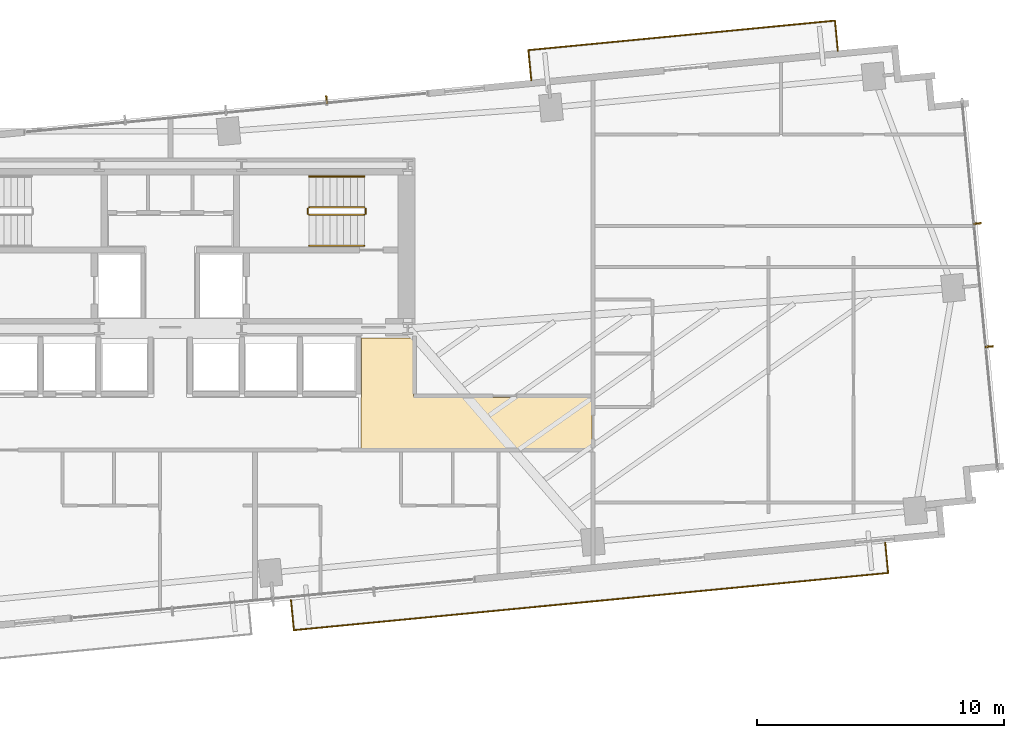
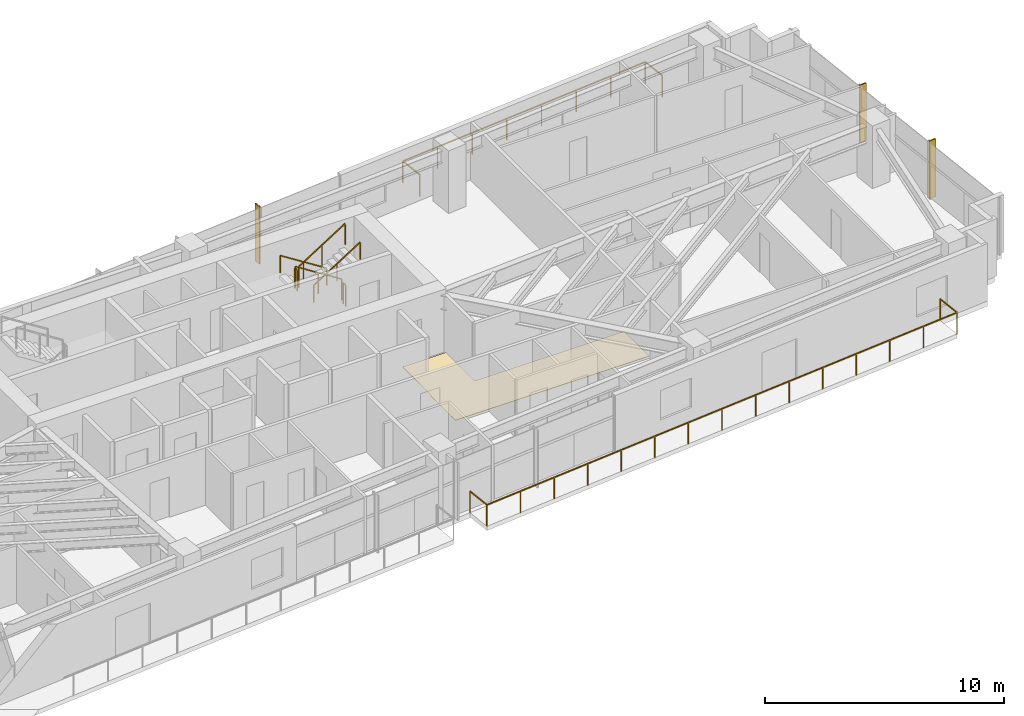
# One storey, part 27 of 27: 8 railings, 3 shading devices, 1 covering.
"""IFC4 building model written with IfcOpenShell, lengths in metres."""

from ifc_helpers import new_model, si_unit, direction, frame, origin, origin_2d, place, context, subcontext, project, spatial, polyline, rectangle, outline, extrude, source, transform, mapped, material, layer, layer_set, type_object, type_shapes, element, save


model = new_model("IFC4")

# Units and contexts
model_context = context("Model", 3, precision=1e-05, world=origin(), true_north=direction((0.0, 1.0)))
body_context = subcontext(model_context, "Body", "Model", "MODEL_VIEW")
ifc_project = project(units=[si_unit("LENGTHUNIT", "METRE"), si_unit("AREAUNIT", "SQUARE_METRE"), si_unit("VOLUMEUNIT", "CUBIC_METRE"), si_unit("PLANEANGLEUNIT", "RADIAN"), si_unit("MASSUNIT", "GRAM", prefix="KILO")], contexts=[model_context])

# Site, building, storey
site_placement = place(None, origin())
site = spatial("IfcSite", under=ifc_project, at=site_placement, CompositionType="ELEMENT")
building_placement = place(site_placement, origin())
building = spatial("IfcBuilding", under=site, at=building_placement, Name="Astriad Promenade Condominiums", CompositionType="ELEMENT")
storey_placement = place(building_placement, frame((0.0, 0.0, 84.199951171875)))
storey = spatial("IfcBuildingStorey", under=building, at=storey_placement, Name="L23", CompositionType="ELEMENT", Elevation=84.199951171875)

# Covering
ifc_material_1 = material(Name="Polished Lakefront Terrazzo Flooring")
ifc_layer = layer(ifc_material_1, 0.02001953125)
ifc_layer_set = layer_set([ifc_layer], Name="Polished Lakefront Terrazzo Flooring")
covering_type = type_object("IfcCoveringType", Name="COV-FLOR-TERRAZZO-20", PredefinedType="FLOORING", material=ifc_layer_set)
covering_placement = place(storey_placement, origin())
element("IfcCovering", 1, at=covering_placement, inside=storey, type_object=covering_type, Name="FLR-L23-COR-1", PredefinedType="FLOORING", context=body_context, shape_type="SweptSolid", body=[
    extrude(outline(polyline([(43.699951171875, 12.530029296875), (43.699951171875, 14.610107421875), (43.703857421875, 14.610107421875), (43.707763671875, 14.61083984375), (43.711669921875, 14.61181640625), (43.71533203125, 14.613037109375), (43.718994140625, 14.61474609375), (43.72216796875, 14.61669921875), (43.725341796875, 14.619140625), (43.728271484375, 14.62158203125), (43.73095703125, 14.62451171875), (43.7333984375, 14.627685546875), (43.7353515625, 14.631103515625), (43.737060546875, 14.634765625), (43.73828125, 14.638427734375), (43.7392578125, 14.64208984375), (43.73974609375, 14.64599609375), (43.739990234375, 14.64990234375), (43.739990234375, 17.010009765625), (45.840087890625, 17.010009765625), (45.840087890625, 14.659912109375), (45.840087890625, 14.656005859375), (45.8408203125, 14.652099609375), (45.841796875, 14.6484375), (45.843017578125, 14.644775390625), (45.8447265625, 14.64111328125), (45.8466796875, 14.6376953125), (45.84912109375, 14.634521484375), (45.851806640625, 14.631591796875), (45.8544921875, 14.629150390625), (45.85791015625, 14.626708984375), (45.861083984375, 14.624755859375), (45.86474609375, 14.623046875), (45.868408203125, 14.62158203125), (45.872314453125, 14.620849609375), (45.876220703125, 14.6201171875), (45.8798828125, 14.6201171875), (53.06005859375, 14.6201171875), (53.06005859375, 12.530029296875), (43.699951171875, 12.530029296875)])), origin(), (0.0, 0.0, 1.0), 0.02001953125),
])

# Shading devices
ifc_material_2 = material(Name="Anodised aluminium 6063-T6 Black Fin", Category="aluminium")
shading_device_type = type_object("IfcShadingDeviceType", Name="FIN-BLACK-320", PredefinedType="USERDEFINED", material=ifc_material_2)
shared_shape_1 = source(origin(), body_context, "Body", "SweptSolid", [
    extrude(rectangle(XDim=0.06494140625, YDim=0.320068359375, at=origin_2d()), origin(), (0.0, 0.0, 1.0), 2.93994140625),
])
type_shapes(shading_device_type, [shared_shape_1])
for number, where, z_axis, x_axis, name in (
    (2, (42.31689453125, 26.656494140625, 0.0), (0.0, 0.0, 1.0), (0.995396198367, 0.09584575252, 0.0), "CW-L23-N-FIN-03"),
    (3, (68.63330078125, 21.6455078125, 0.0), (0.0, 0.0, 1.0), (0.09584575252, -0.995396198367, 0.0), "CW-L23-E-FIN-01"),
    (4, (69.1123046875, 16.668701171875, 0.0), (0.0, 0.0, 1.0), (0.09584575252, -0.995396198367, 0.0), "CW-L23-E-FIN-02"),
):
    element("IfcShadingDevice", number, at=place(storey_placement, frame(where, z_axis=z_axis, x_axis=x_axis)), inside=storey, type_object=shading_device_type, Name=name, ObjectType="FIN", PredefinedType="USERDEFINED", context=body_context, shape_type="MappedRepresentation", body=[
        mapped(shared_shape_1, transform((0.0, 0.0, 0.0), scale=1.0)),
    ])

# Railings
ifc_material_3 = material(Name="Laminated Glass and Stainless Steel Balustrade", Category="steel")
railing_type_1 = type_object("IfcRailingType", Name="GRD-BALC-1120", PredefinedType="BALUSTRADE", material=ifc_material_3)
shared_shape_2 = source(origin(), body_context, "Body", "SweptSolid", [
    extrude(rectangle(XDim=0.048095703125, YDim=0.048095703125, at=origin_2d()), frame((0.0, 0.0, 1.09619140625), z_axis=(0.095857307208, -0.99539508571, 0.0), x_axis=(0.99539508571, 0.095857307208, 0.0)), (0.0, 0.0, 1.0), 1.219970703125),
    extrude(rectangle(XDim=0.048095703125, YDim=0.048095703125, at=origin_2d()), frame((0.116943359375, -1.21435546875, 1.09619140625), z_axis=(0.995396681995, 0.095840729718, 0.0), x_axis=(-0.095840729718, 0.995396681995, 0.0)), (0.0, 0.0, 1.0), 24.143798828125),
    extrude(rectangle(XDim=0.048095703125, YDim=0.048095703125, at=origin_2d()), frame((24.149658203125, 1.099609375, 1.09619140625), z_axis=(-0.095857307208, 0.99539508571, 0.0), x_axis=(-0.99539508571, -0.095857307208, 0.0)), (0.0, 0.0, 1.0), 1.219970703125),
    extrude(rectangle(XDim=0.0419921875, YDim=0.0419921875, at=origin_2d()), origin(), (0.0, 0.0, 1.0), 1.072021484375),
    extrude(rectangle(XDim=0.0419921875, YDim=0.0419921875, at=origin_2d()), frame((0.116943359375, -1.21435546875, 0.0)), (0.0, 0.0, 1.0), 1.072021484375),
    extrude(rectangle(XDim=0.0419921875, YDim=0.0419921875, at=origin_2d()), frame((1.83349609375, -1.049072265625, 0.0)), (0.0, 0.0, 1.0), 1.072021484375),
    extrude(rectangle(XDim=0.0419921875, YDim=0.0419921875, at=origin_2d()), frame((3.55029296875, -0.8837890625, 0.0)), (0.0, 0.0, 1.0), 1.072021484375),
    extrude(rectangle(XDim=0.0419921875, YDim=0.0419921875, at=origin_2d()), frame((5.266845703125, -0.718505859375, 0.0)), (0.0, 0.0, 1.0), 1.072021484375),
    extrude(rectangle(XDim=0.0419921875, YDim=0.0419921875, at=origin_2d()), frame((6.9833984375, -0.55322265625, 0.0)), (0.0, 0.0, 1.0), 1.072021484375),
    extrude(rectangle(XDim=0.0419921875, YDim=0.0419921875, at=origin_2d()), frame((8.699951171875, -0.387939453125, 0.0)), (0.0, 0.0, 1.0), 1.072021484375),
    extrude(rectangle(XDim=0.0419921875, YDim=0.0419921875, at=origin_2d()), frame((10.416748046875, -0.22265625, 0.0)), (0.0, 0.0, 1.0), 1.072021484375),
    extrude(rectangle(XDim=0.0419921875, YDim=0.0419921875, at=origin_2d()), frame((12.13330078125, -0.057373046875, 0.0)), (0.0, 0.0, 1.0), 1.072021484375),
    extrude(rectangle(XDim=0.0419921875, YDim=0.0419921875, at=origin_2d()), frame((13.849853515625, 0.10791015625, 0.0)), (0.0, 0.0, 1.0), 1.072021484375),
    extrude(rectangle(XDim=0.0419921875, YDim=0.0419921875, at=origin_2d()), frame((15.566650390625, 0.273193359375, 0.0)), (0.0, 0.0, 1.0), 1.072021484375),
    extrude(rectangle(XDim=0.0419921875, YDim=0.0419921875, at=origin_2d()), frame((17.283203125, 0.4384765625, 0.0)), (0.0, 0.0, 1.0), 1.072021484375),
    extrude(rectangle(XDim=0.0419921875, YDim=0.0419921875, at=origin_2d()), frame((18.999755859375, 0.603759765625, 0.0)), (0.0, 0.0, 1.0), 1.072021484375),
    extrude(rectangle(XDim=0.0419921875, YDim=0.0419921875, at=origin_2d()), frame((20.71630859375, 0.76904296875, 0.0)), (0.0, 0.0, 1.0), 1.072021484375),
    extrude(rectangle(XDim=0.0419921875, YDim=0.0419921875, at=origin_2d()), frame((22.43310546875, 0.934326171875, 0.0)), (0.0, 0.0, 1.0), 1.072021484375),
    extrude(rectangle(XDim=0.0419921875, YDim=0.0419921875, at=origin_2d()), frame((24.149658203125, 1.099609375, 0.0)), (0.0, 0.0, 1.0), 1.072021484375),
    extrude(rectangle(XDim=0.0419921875, YDim=0.0419921875, at=origin_2d()), frame((24.03271484375, 2.31396484375, 0.0)), (0.0, 0.0, 1.0), 1.072021484375),
])
railing_1_placement = place(storey_placement, frame((40.877197265625, 6.415283203125, 0.0)))
element("IfcRailing", 5, at=railing_1_placement, inside=storey, type_object=railing_type_1, Name="GRD-BALC-L23-SE", PredefinedType="BALUSTRADE", context=body_context, shape_type="MappedRepresentation", body=[
    mapped(shared_shape_2, transform((0.0, 0.0, 0.0), scale=1.0)),
])
shared_shape_3 = source(origin(), body_context, "Body", "SweptSolid", [
    extrude(rectangle(XDim=0.048095703125, YDim=0.048095703125, at=origin_2d()), frame((0.0, 0.0, 1.09619140625), z_axis=(-0.095857307208, 0.99539508571, 0.0), x_axis=(-0.99539508571, -0.095857307208, 0.0)), (0.0, 0.0, 1.0), 1.219970703125),
    extrude(rectangle(XDim=0.048095703125, YDim=0.048095703125, at=origin_2d()), frame((-0.116943359375, 1.21435546875, 1.09619140625), z_axis=(-0.99539627188, -0.095844989062, 0.0), x_axis=(0.095844989062, -0.99539627188, 0.0)), (0.0, 0.0, 1.0), 12.4560546875),
    extrude(rectangle(XDim=0.048095703125, YDim=0.048095703125, at=origin_2d()), frame((-12.515625, 0.0205078125, 1.09619140625), z_axis=(0.095857307208, -0.99539508571, 0.0), x_axis=(0.99539508571, 0.095857307208, 0.0)), (0.0, 0.0, 1.0), 1.219970703125),
    extrude(rectangle(XDim=0.0419921875, YDim=0.0419921875, at=origin_2d()), origin(), (0.0, 0.0, 1.0), 1.072021484375),
    extrude(rectangle(XDim=0.0419921875, YDim=0.0419921875, at=origin_2d()), frame((-0.116943359375, 1.21435546875, 0.0)), (0.0, 0.0, 1.0), 1.072021484375),
    extrude(rectangle(XDim=0.0419921875, YDim=0.0419921875, at=origin_2d()), frame((-1.88818359375, 1.043701171875, 0.0)), (0.0, 0.0, 1.0), 1.072021484375),
    extrude(rectangle(XDim=0.0419921875, YDim=0.0419921875, at=origin_2d()), frame((-3.659423828125, 0.873291015625, 0.0)), (0.0, 0.0, 1.0), 1.072021484375),
    extrude(rectangle(XDim=0.0419921875, YDim=0.0419921875, at=origin_2d()), frame((-5.4306640625, 0.70263671875, 0.0)), (0.0, 0.0, 1.0), 1.072021484375),
    extrude(rectangle(XDim=0.0419921875, YDim=0.0419921875, at=origin_2d()), frame((-7.201904296875, 0.5322265625, 0.0)), (0.0, 0.0, 1.0), 1.072021484375),
    extrude(rectangle(XDim=0.0419921875, YDim=0.0419921875, at=origin_2d()), frame((-8.97314453125, 0.361572265625, 0.0)), (0.0, 0.0, 1.0), 1.072021484375),
    extrude(rectangle(XDim=0.0419921875, YDim=0.0419921875, at=origin_2d()), frame((-10.744384765625, 0.191162109375, 0.0)), (0.0, 0.0, 1.0), 1.072021484375),
    extrude(rectangle(XDim=0.0419921875, YDim=0.0419921875, at=origin_2d()), frame((-12.515625, 0.0205078125, 0.0)), (0.0, 0.0, 1.0), 1.072021484375),
    extrude(rectangle(XDim=0.0419921875, YDim=0.0419921875, at=origin_2d()), frame((-12.398681640625, -1.19384765625, 0.0)), (0.0, 0.0, 1.0), 1.072021484375),
])
type_shapes(railing_type_1, [shared_shape_2, shared_shape_3])
railing_2_placement = place(storey_placement, frame((62.9931640625, 28.63720703125, 0.0)))
element("IfcRailing", 6, at=railing_2_placement, inside=storey, type_object=railing_type_1, Name="GRD-BALC-L23-NE", PredefinedType="BALUSTRADE", context=body_context, shape_type="MappedRepresentation", body=[
    mapped(shared_shape_3, transform((0.0, 0.0, 0.0), scale=1.0)),
])
ifc_material_4 = material(Name="Painted Galvanised Steel Guardrail", Category="steel")
railing_type_2 = type_object("IfcRailingType", Name="GRD-STAIR-1100", PredefinedType="GUARDRAIL", material=ifc_material_4)
shared_shape_4 = source(origin(), body_context, "Body", "SweptSolid", [
    extrude(rectangle(XDim=0.048095703125, YDim=0.048095703125, at=origin_2d()), frame((0.0, 0.0, 1.076171875), z_axis=(0.8442293374, 0.0, 0.53598211339), x_axis=(0.0, 1.0, 0.0)), (0.0, 0.0, 1.0), 2.6533203125),
    extrude(rectangle(XDim=0.0419921875, YDim=0.0419921875, at=origin_2d()), origin(), (0.0, 0.0, 1.0), 1.052001953125),
    extrude(rectangle(XDim=0.0419921875, YDim=0.0419921875, at=origin_2d()), frame((1.1201171875, 0.0, 0.7109375)), (0.0, 0.0, 1.0), 1.052001953125),
    extrude(rectangle(XDim=0.0419921875, YDim=0.0419921875, at=origin_2d()), frame((2.239990234375, 0.0, 1.422119140625)), (0.0, 0.0, 1.0), 1.052001953125),
])
railing_3_placement = place(storey_placement, frame((41.610107421875, 22.0, 1.77783203125)))
element("IfcRailing", 7, at=railing_3_placement, inside=storey, type_object=railing_type_2, Name="L23 ST-2 stair guard 3", PredefinedType="GUARDRAIL", context=body_context, shape_type="MappedRepresentation", body=[
    mapped(shared_shape_4, transform((0.0, 0.0, 0.0), scale=1.0)),
])
shared_shape_5 = source(origin(), body_context, "Body", "SweptSolid", [
    extrude(rectangle(XDim=0.048095703125, YDim=0.048095703125, at=origin_2d()), frame((0.0, 0.0, 1.076171875), z_axis=(-0.84418770128, 0.0, 0.536047689118), x_axis=(0.0, -1.0, 0.0)), (0.0, 0.0, 1.0), 2.6533203125),
    extrude(rectangle(XDim=0.0419921875, YDim=0.0419921875, at=origin_2d()), origin(), (0.0, 0.0, 1.0), 1.052001953125),
    extrude(rectangle(XDim=0.0419921875, YDim=0.0419921875, at=origin_2d()), frame((-1.1201171875, 0.0, 0.711181640625)), (0.0, 0.0, 1.0), 1.052001953125),
    extrude(rectangle(XDim=0.0419921875, YDim=0.0419921875, at=origin_2d()), frame((-2.239990234375, 0.0, 1.42236328125)), (0.0, 0.0, 1.0), 1.052001953125),
])
railing_4_placement = place(storey_placement, frame((43.85009765625, 22.300048828125, 0.177734375)))
element("IfcRailing", 8, at=railing_4_placement, inside=storey, type_object=railing_type_2, Name="L23 ST-2 stair guard 1", PredefinedType="GUARDRAIL", context=body_context, shape_type="MappedRepresentation", body=[
    mapped(shared_shape_5, transform((0.0, 0.0, 0.0), scale=1.0)),
])
ifc_material_5 = material(Name="Brushed Stainless Steel Handrail", Category="steel")
railing_type_3 = type_object("IfcRailingType", Name="HRL-STAIR-920", PredefinedType="HANDRAIL", material=ifc_material_5)
shared_shape_6 = source(origin(), body_context, "Body", "SweptSolid", [
    extrude(rectangle(XDim=0.048095703125, YDim=0.048095703125, at=origin_2d()), frame((0.0, 0.0, 0.8759765625), z_axis=(0.8442293374, 0.0, 0.53598211339), x_axis=(0.0, 1.0, 0.0)), (0.0, 0.0, 1.0), 2.6533203125),
    extrude(rectangle(XDim=0.0419921875, YDim=0.0419921875, at=origin_2d()), origin(), (0.0, 0.0, 1.0), 0.851806640625),
    extrude(rectangle(XDim=0.0419921875, YDim=0.0419921875, at=origin_2d()), frame((1.1201171875, 0.0, 0.7109375)), (0.0, 0.0, 1.0), 0.851806640625),
    extrude(rectangle(XDim=0.0419921875, YDim=0.0419921875, at=origin_2d()), frame((2.239990234375, 0.0, 1.422119140625)), (0.0, 0.0, 1.0), 0.851806640625),
])
railing_5_placement = place(storey_placement, frame((41.610107421875, 20.75, 1.77783203125)))
element("IfcRailing", 9, at=railing_5_placement, inside=storey, type_object=railing_type_3, Name="L23 ST-2 stair handrail 2", PredefinedType="HANDRAIL", context=body_context, shape_type="MappedRepresentation", body=[
    mapped(shared_shape_6, transform((0.0, 0.0, 0.0), scale=1.0)),
])
shared_shape_7 = source(origin(), body_context, "Body", "SweptSolid", [
    extrude(rectangle(XDim=0.048095703125, YDim=0.048095703125, at=origin_2d()), frame((0.0, 0.0, 0.8759765625), z_axis=(-0.84418770128, 0.0, 0.536047689118), x_axis=(0.0, -1.0, 0.0)), (0.0, 0.0, 1.0), 2.6533203125),
    extrude(rectangle(XDim=0.0419921875, YDim=0.0419921875, at=origin_2d()), origin(), (0.0, 0.0, 1.0), 0.851806640625),
    extrude(rectangle(XDim=0.0419921875, YDim=0.0419921875, at=origin_2d()), frame((-1.1201171875, 0.0, 0.711181640625)), (0.0, 0.0, 1.0), 0.851806640625),
    extrude(rectangle(XDim=0.0419921875, YDim=0.0419921875, at=origin_2d()), frame((-2.239990234375, 0.0, 1.42236328125)), (0.0, 0.0, 1.0), 0.851806640625),
])
type_shapes(railing_type_3, [shared_shape_6, shared_shape_7])
railing_6_placement = place(storey_placement, frame((43.85009765625, 23.550048828125, 0.177734375)))
element("IfcRailing", 10, at=railing_6_placement, inside=storey, type_object=railing_type_3, Name="L23 ST-2 stair handrail 1", PredefinedType="HANDRAIL", context=body_context, shape_type="MappedRepresentation", body=[
    mapped(shared_shape_7, transform((0.0, 0.0, 0.0), scale=1.0)),
])
shared_shape_8 = source(origin(), body_context, "Body", "SweptSolid", [
    extrude(rectangle(XDim=0.048095703125, YDim=0.048095703125, at=origin_2d()), frame((0.0, 0.0, 1.076171875), z_axis=(0.0, -1.0, 0.0), x_axis=(1.0, 0.0, 0.0)), (0.0, 0.0, 1.0), 0.199951171875),
    extrude(rectangle(XDim=0.0419921875, YDim=0.0419921875, at=origin_2d()), origin(), (0.0, 0.0, 1.0), 1.052001953125),
    extrude(rectangle(XDim=0.0419921875, YDim=0.0419921875, at=origin_2d()), frame((0.0, -0.199951171875, 0.0)), (0.0, 0.0, 1.0), 1.052001953125),
])
type_shapes(railing_type_2, [shared_shape_4, shared_shape_5, shared_shape_8])
for number, where, name in (
    (11, (41.56005859375, 22.25, 1.60009765625), "L23 ST-2 stair guard 2"),
    (12, (43.89990234375, 22.25, 0.0), "L23 ST-2 stair guard 4"),
):
    element("IfcRailing", number, at=place(storey_placement, frame(where)), inside=storey, type_object=railing_type_2, Name=name, PredefinedType="GUARDRAIL", context=body_context, shape_type="MappedRepresentation", body=[
        mapped(shared_shape_8, transform((0.0, 0.0, 0.0), scale=1.0)),
    ])

save(model, "model.ifc")
